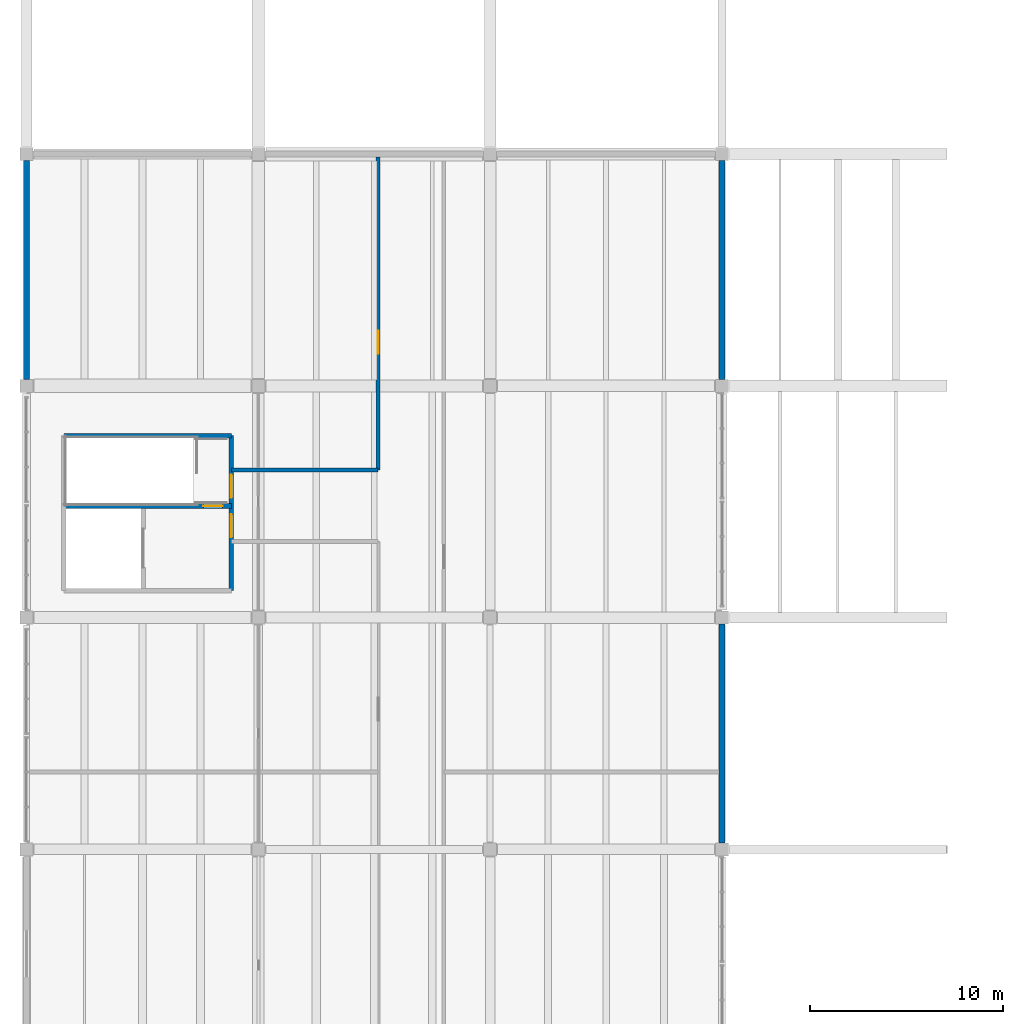
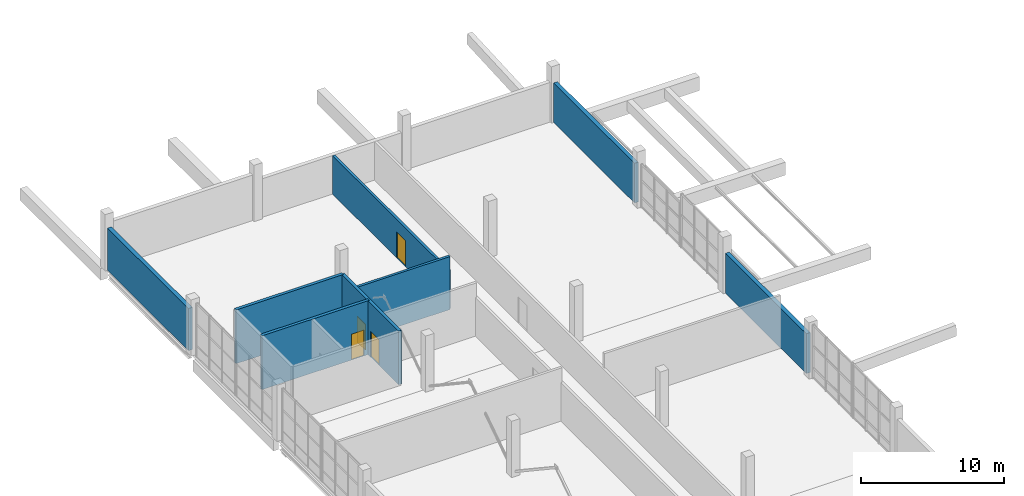
# One storey, part 40 of 49: 8 walls, 4 doors, 4 openings.
"""IFC4 building model written with IfcOpenShell, lengths in metres."""

from ifc_helpers import new_model, si_unit, direction, frame, frame_2d, origin, place, context, subcontext, project, spatial, rectangle, extrude, material, layer, layer_set, type_object, element, fill, save


model = new_model("IFC4")

# Units and contexts
model_context = context("Model", 3, precision=1e-05, world=origin(), true_north=direction((0.0, 1.0)))
body_context = subcontext(model_context, "Body", "Model", "MODEL_VIEW")
ifc_project = project(units=[si_unit("LENGTHUNIT", "METRE"), si_unit("AREAUNIT", "SQUARE_METRE"), si_unit("VOLUMEUNIT", "CUBIC_METRE"), si_unit("PLANEANGLEUNIT", "RADIAN"), si_unit("MASSUNIT", "GRAM", prefix="KILO")], contexts=[model_context])

# Site, building, storey
site_placement = place(None, origin())
site = spatial("IfcSite", under=ifc_project, at=site_placement, CompositionType="ELEMENT")
building_placement = place(site_placement, origin())
building = spatial("IfcBuilding", under=site, at=building_placement, Name="Kamomehara Wholesale Market", CompositionType="ELEMENT")
storey_placement = place(building_placement, frame((0.0, 0.0, 11.39990234375)))
storey = spatial("IfcBuildingStorey", under=building, at=storey_placement, Name="L02", CompositionType="ELEMENT", Elevation=11.39990234375)

# Walls
ifc_material_1 = material(Name="Polyurethane insulated metal panel")
ifc_layer_1 = layer(ifc_material_1, 0.320068359375)
ifc_layer_set_1 = layer_set([ifc_layer_1], Name="Polyurethane insulated metal panel")
wall_type_1 = type_object("IfcWallType", Name="EW-CLD-320", PredefinedType="SOLIDWALL", material=ifc_layer_set_1)
wall_1_placement = place(storey_placement, frame((0.0, 132.340087890625, 0.0), z_axis=(0.0, 0.0, 1.0), x_axis=(0.0, 1.0, 0.0)))
element("IfcWall", 1, at=wall_1_placement, inside=storey, type_object=wall_type_1, Name="Exterior wall EW-CLD-320 46", PredefinedType="SOLIDWALL", context=body_context, shape_type="SweptSolid", body=[
    extrude(rectangle(XDim=11.31982421875, YDim=0.320068359375, at=frame_2d((5.659912109375, 0.0))), origin(), (0.0, 0.0, 1.0), 3.60009765625),
])
wall_2_placement = place(storey_placement, frame((36.0, 119.659912109375, 0.0), z_axis=(0.0, 0.0, 1.0), x_axis=(0.0, -1.0, 0.0)))
element("IfcWall", 2, at=wall_2_placement, inside=storey, type_object=wall_type_1, Name="Exterior wall EW-CLD-320 56", PredefinedType="SOLIDWALL", context=body_context, shape_type="SweptSolid", body=[
    extrude(rectangle(XDim=11.31982421875, YDim=0.320068359375, at=frame_2d((5.659912109375, 0.0))), origin(), (0.0, 0.0, 1.0), 3.400146484375),
])
wall_3_placement = place(storey_placement, frame((36.0, 143.659912109375, 0.0), z_axis=(0.0, 0.0, 1.0), x_axis=(0.0, -1.0, 0.0)))
element("IfcWall", 3, at=wall_3_placement, inside=storey, type_object=wall_type_1, Name="Exterior wall EW-CLD-320 57", PredefinedType="SOLIDWALL", context=body_context, shape_type="SweptSolid", body=[
    extrude(rectangle(XDim=11.31982421875, YDim=0.320068359375, at=frame_2d((5.659912109375, 0.0))), origin(), (0.0, 0.0, 1.0), 3.380126953125),
])
ifc_material_2 = material(Name="Gypsum board partition")
ifc_layer_2 = layer(ifc_material_2, 0.199951171875)
ifc_layer_set_2 = layer_set([ifc_layer_2], Name="Gypsum board partition")
wall_type_2 = type_object("IfcWallType", Name="IW-PRT-200", PredefinedType="PARTITIONING", material=ifc_layer_set_2)
wall_4_placement = place(storey_placement, frame((10.60009765625, 127.64990234375, 0.0), z_axis=(0.0, 0.0, 1.0), x_axis=(1.0, 0.0, 0.0)))
element("IfcWall", 4, at=wall_4_placement, inside=storey, type_object=wall_type_2, Name="Interior wall IW-PRT-200 348", PredefinedType="PARTITIONING", context=body_context, shape_type="SweptSolid", body=[
    extrude(rectangle(XDim=7.599853515625, YDim=0.199951171875, at=frame_2d((3.7998046875, 0.0))), origin(), (0.0, 0.0, 1.0), 4.52001953125),
])

# Wall, opening, door
wall_5_placement = place(storey_placement, frame((18.199951171875, 127.64990234375, 0.0), z_axis=(0.0, 0.0, 1.0), x_axis=(0.0, 1.0, 0.0)))
wall_5 = element("IfcWall", 5, at=wall_5_placement, inside=storey, type_object=wall_type_2, Name="Interior wall IW-PRT-200 349", PredefinedType="PARTITIONING", context=body_context, shape_type="SweptSolid", body=[
    extrude(rectangle(XDim=16.190185546875, YDim=0.199951171875, at=frame_2d((8.09521484375, 0.0))), origin(), (0.0, 0.0, 1.0), 3.28515625),
])
opening_1_placement = place(wall_5_placement, frame((6.0, 0.0, 0.0)))
opening_1 = element("IfcOpeningElement", 6, at=opening_1_placement, cuts=wall_5, Name="Opening ID-L02-218", PredefinedType="OPENING", context=body_context, shape_type="SweptSolid", body=[
    extrude(rectangle(XDim=1.199951171875, YDim=2.199951171875, at=frame_2d((0.60009765625, 1.10009765625))), frame((0.0, 0.11474609375, 0.0), z_axis=(0.0, -1.0, 0.0), x_axis=(1.0, 0.0, 0.0)), (0.0, 0.0, 1.0), 0.229736328125),
])
ifc_material_3 = material(Name="Steel SN400B", Category="steel")
door_type_1 = type_object("IfcDoorType", Name="IDR-FD-1200x2200", OperationType="NOTDEFINED", PredefinedType="DOOR", material=ifc_material_3)
door_1_placement = place(opening_1_placement, origin())
door_1 = element("IfcDoor", 7, at=door_1_placement, inside=storey, type_object=door_type_1, Name="Interior door ID-L02-218", OperationType="SINGLE_SWING_RIGHT", OverallHeight=2.199951171875, OverallWidth=1.199951171875, PredefinedType="DOOR", context=body_context, shape_type="SweptSolid", body=[
    extrude(rectangle(XDim=1.199951171875, YDim=2.199951171875, at=frame_2d((0.60009765625, 1.10009765625))), frame((0.0, 0.02490234375, 0.0), z_axis=(0.0, -1.0, 0.0), x_axis=(1.0, 0.0, 0.0)), (0.0, 0.0, 1.0), 0.050048828125),
])
fill(opening_1, door_1)

# Wall
ifc_material_4 = material(Name="Concrete Fc36 (C35/45)", Category="concrete")
ifc_layer_3 = layer(ifc_material_4, 0.239990234375)
ifc_layer_set_3 = layer_set([ifc_layer_3], Name="Concrete Fc36 (C35/45)")
wall_type_3 = type_object("IfcWallType", Name="IW-SHR-240", PredefinedType="SHEAR", material=ifc_layer_set_3)
wall_6_placement = place(storey_placement, frame((10.60009765625, 129.419921875, 0.0), z_axis=(0.0, 0.0, 1.0), x_axis=(-1.0, 0.0, 0.0)))
element("IfcWall", 8, at=wall_6_placement, inside=storey, type_object=wall_type_3, Name="Interior wall IW-SHR-240 55", PredefinedType="SHEAR", context=body_context, shape_type="SweptSolid", body=[
    extrude(rectangle(XDim=8.670166015625, YDim=0.239990234375, at=frame_2d((4.3349609375, 0.0))), origin(), (0.0, 0.0, 1.0), 4.590087890625),
])

# Wall, opening, door
wall_7_placement = place(storey_placement, frame((1.929931640625, 125.780029296875, 0.0), z_axis=(0.0, 0.0, 1.0), x_axis=(1.0, 0.0, 0.0)))
wall_7 = element("IfcWall", 9, at=wall_7_placement, inside=storey, type_object=wall_type_3, Name="Interior wall IW-SHR-240 58", PredefinedType="SHEAR", context=body_context, shape_type="SweptSolid", body=[
    extrude(rectangle(XDim=8.670166015625, YDim=0.239990234375, at=frame_2d((4.3349609375, 0.0))), origin(), (0.0, 0.0, 1.0), 4.590087890625),
])
opening_2_placement = place(wall_7_placement, frame((7.219970703125, 0.0, 0.0)))
opening_2 = element("IfcOpeningElement", 10, at=opening_2_placement, cuts=wall_7, Name="Opening FD-L02-C4I", PredefinedType="OPENING", context=body_context, shape_type="SweptSolid", body=[
    extrude(rectangle(XDim=1.0, YDim=2.199951171875, at=frame_2d((0.5, 1.10009765625))), frame((0.0, 0.134765625, 0.0), z_axis=(0.0, -1.0, 0.0), x_axis=(1.0, 0.0, 0.0)), (0.0, 0.0, 1.0), 0.269775390625),
])
ifc_material_5 = material(Name="Anodised aluminium 6063-T5", Category="aluminium")
door_type_2 = type_object("IfcDoorType", Name="IDR-RM-1000x2200", OperationType="NOTDEFINED", PredefinedType="DOOR", material=ifc_material_5)
door_2_placement = place(opening_2_placement, origin())
door_2 = element("IfcDoor", 11, at=door_2_placement, inside=storey, type_object=door_type_2, Name="Core lobby-stair fire door FD-L02-C4I", OperationType="SINGLE_SWING_RIGHT", OverallHeight=2.199951171875, OverallWidth=1.0, PredefinedType="DOOR", context=body_context, shape_type="SweptSolid", body=[
    extrude(rectangle(XDim=1.0, YDim=2.199951171875, at=frame_2d((0.5, 1.10009765625))), frame((0.0, 0.02490234375, 0.0), z_axis=(0.0, -1.0, 0.0), x_axis=(1.0, 0.0, 0.0)), (0.0, 0.0, 1.0), 0.050048828125),
])
fill(opening_2, door_2)

# Wall, openings, doors
wall_8_placement = place(storey_placement, frame((10.60009765625, 121.39990234375, 0.0), z_axis=(0.0, 0.0, 1.0), x_axis=(0.0, 1.0, 0.0)))
wall_8 = element("IfcWall", 12, at=wall_8_placement, inside=storey, type_object=wall_type_3, Name="Interior wall IW-SHR-240 59", PredefinedType="SHEAR", context=body_context, shape_type="SweptSolid", body=[
    extrude(rectangle(XDim=8.02001953125, YDim=0.239990234375, at=frame_2d((4.010009765625, 0.0))), origin(), (0.0, 0.0, 1.0), 4.590087890625),
])
opening_3_placement = place(wall_8_placement, frame((2.75, 0.0, 0.0)))
opening_3 = element("IfcOpeningElement", 13, at=opening_3_placement, cuts=wall_8, Name="Opening FD-L02-C4L", PredefinedType="OPENING", context=body_context, shape_type="SweptSolid", body=[
    extrude(rectangle(XDim=1.199951171875, YDim=2.199951171875, at=frame_2d((0.60009765625, 1.10009765625))), frame((0.0, 0.134765625, 0.0), z_axis=(0.0, -1.0, 0.0), x_axis=(1.0, 0.0, 0.0)), (0.0, 0.0, 1.0), 0.269775390625),
])
opening_4_placement = place(wall_8_placement, frame((4.800048828125, 0.0, 0.0)))
opening_4 = element("IfcOpeningElement", 14, at=opening_4_placement, cuts=wall_8, Name="Opening FD-L02-C4S", PredefinedType="OPENING", context=body_context, shape_type="SweptSolid", body=[
    extrude(rectangle(XDim=1.199951171875, YDim=2.199951171875, at=frame_2d((0.60009765625, 1.10009765625))), frame((0.0, 0.134765625, 0.0), z_axis=(0.0, -1.0, 0.0), x_axis=(1.0, 0.0, 0.0)), (0.0, 0.0, 1.0), 0.269775390625),
])
door_3_placement = place(opening_3_placement, origin())
door_3 = element("IfcDoor", 15, at=door_3_placement, inside=storey, type_object=door_type_1, Name="Lift lobby fire door FD-L02-C4L", OperationType="SINGLE_SWING_RIGHT", OverallHeight=2.199951171875, OverallWidth=1.199951171875, PredefinedType="DOOR", context=body_context, shape_type="SweptSolid", body=[
    extrude(rectangle(XDim=1.199951171875, YDim=2.199951171875, at=frame_2d((0.60009765625, 1.10009765625))), frame((0.0, 0.02490234375, 0.0), z_axis=(0.0, -1.0, 0.0), x_axis=(1.0, 0.0, 0.0)), (0.0, 0.0, 1.0), 0.050048828125),
])
fill(opening_3, door_3)
door_4_placement = place(opening_4_placement, origin())
door_4 = element("IfcDoor", 16, at=door_4_placement, inside=storey, type_object=door_type_1, Name="Stair fire door FD-L02-C4S", OperationType="SINGLE_SWING_LEFT", OverallHeight=2.199951171875, OverallWidth=1.199951171875, PredefinedType="DOOR", context=body_context, shape_type="SweptSolid", body=[
    extrude(rectangle(XDim=1.199951171875, YDim=2.199951171875, at=frame_2d((0.60009765625, 1.10009765625))), frame((0.0, 0.02490234375, 0.0), z_axis=(0.0, -1.0, 0.0), x_axis=(1.0, 0.0, 0.0)), (0.0, 0.0, 1.0), 0.050048828125),
])
fill(opening_4, door_4)

save(model, "model.ifc")
